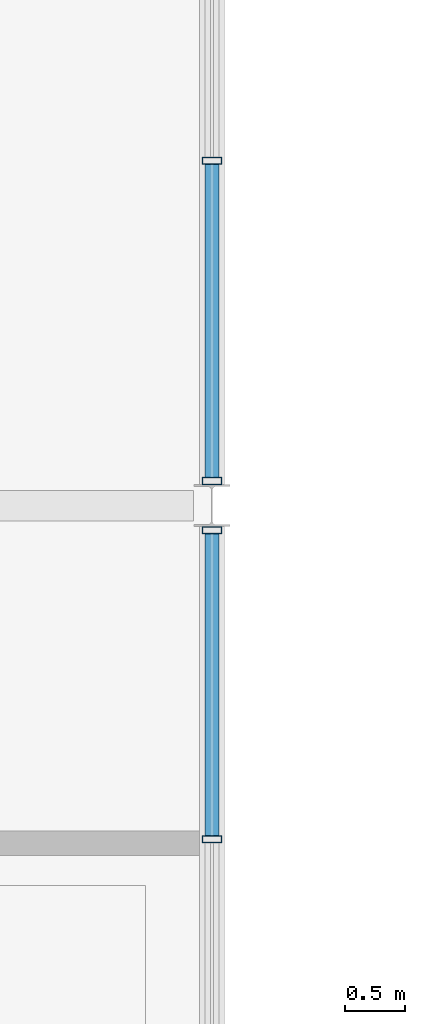
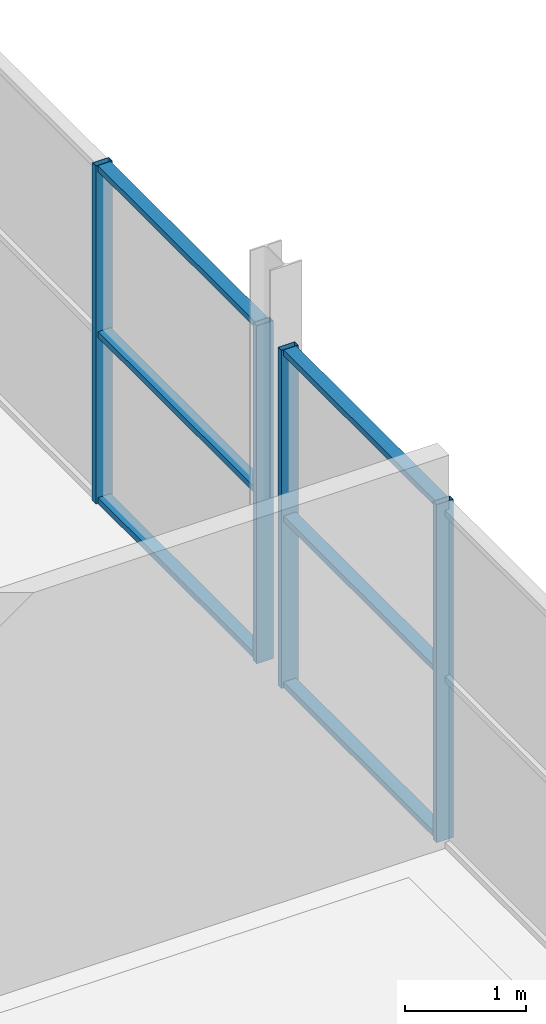
# One storey, part 58 of 93: 10 members, 2 elements without a shape of their own.
"""IFC4 building model written with IfcOpenShell, lengths in metres."""

from ifc_helpers import new_model, si_unit, direction, frame, origin, origin_2d, place, context, subcontext, project, spatial, hollow_rectangle, extrude, material, material_profile, profile_set, type_object, element, aggregate, save


model = new_model("IFC4")

# Units and contexts
model_context = context("Model", 3, precision=1e-05, world=origin(), true_north=direction((0.0, 1.0)))
body_context = subcontext(model_context, "Body", "Model", "MODEL_VIEW")
ifc_project = project(units=[si_unit("LENGTHUNIT", "METRE"), si_unit("AREAUNIT", "SQUARE_METRE"), si_unit("VOLUMEUNIT", "CUBIC_METRE"), si_unit("PLANEANGLEUNIT", "RADIAN"), si_unit("MASSUNIT", "GRAM", prefix="KILO"), si_unit("THERMODYNAMICTEMPERATUREUNIT", "KELVIN")], contexts=[model_context])

# Site, building, storey
site_placement = place(None, origin())
site = spatial("IfcSite", under=ifc_project, at=site_placement, CompositionType="ELEMENT")
building_placement = place(site_placement, origin())
building = spatial("IfcBuilding", under=site, at=building_placement, Name="Nduvali Passage Aquatics Centre", CompositionType="ELEMENT")
storey_placement = place(building_placement, frame((0.0, 0.0, 9.0)))
storey = spatial("IfcBuildingStorey", under=building, at=storey_placement, Name="L02", CompositionType="ELEMENT", Elevation=9.0)

# Curtain wall, members
ifc_material = material(Name="Aluminium EN AW-6063 T6", Category="aluminium")
curtain_wall_type = type_object("IfcCurtainWallType", Name="ENV-CW-PASS", PredefinedType="NOTDEFINED", material=ifc_material)
curtain_wall_1_placement = place(storey_placement, origin())
curtain_wall_1 = element("IfcCurtainWall", 1, at=curtain_wall_1_placement, inside=storey, type_object=curtain_wall_type, Name="L02 East Passage Studio CW 118", PredefinedType="NOTDEFINED")
ifc_material_profile_1 = material_profile(ifc_material, hollow_rectangle(XDim=0.06005859375, YDim=0.159912109375, WallThickness=0.00390625, at=origin_2d()), Name="ALU MULLION 60x160x4")
ifc_profile_set_1 = profile_set([ifc_material_profile_1], Name="Aluminium EN AW-6063 T6")
member_type_1 = type_object("IfcMemberType", Name="ENV-MEM-MUL60", PredefinedType="MULLION", material=ifc_profile_set_1)
member_1_placement = place(storey_placement, frame((126.0, 98.033203125, 0.0), z_axis=(0.0, 0.0, 1.0), x_axis=(0.0, 1.0, 0.0)))
member_1 = element("IfcMember", 2, at=member_1_placement, type_object=member_type_1, Name="East Passage Studio CW Mullion 3", PredefinedType="MULLION", context=body_context, shape_type="SweptSolid", body=[
    extrude(hollow_rectangle(XDim=0.06005859375, YDim=0.159912109375, WallThickness=0.00390625, at=origin_2d()), origin(), (0.0, 0.0, 1.0), 3.406494140625),
])
member_2_placement = place(storey_placement, frame((126.0, 100.594970703125, 0.0), z_axis=(0.0, 0.0, 1.0), x_axis=(0.0, 1.0, 0.0)))
member_2 = element("IfcMember", 3, at=member_2_placement, type_object=member_type_1, Name="East Passage Studio CW Mullion 4", PredefinedType="MULLION", context=body_context, shape_type="SweptSolid", body=[
    extrude(hollow_rectangle(XDim=0.06005859375, YDim=0.159912109375, WallThickness=0.00390625, at=origin_2d()), origin(), (0.0, 0.0, 1.0), 3.406494140625),
])

curtain_wall_2_placement = place(storey_placement, origin())
curtain_wall_2 = element("IfcCurtainWall", 4, at=curtain_wall_2_placement, inside=storey, type_object=curtain_wall_type, Name="L02 East Passage Studio CW 122", PredefinedType="NOTDEFINED")
member_3_placement = place(storey_placement, frame((126.0, 101.0048828125, 0.0), z_axis=(0.0, 0.0, 1.0), x_axis=(0.0, 1.0, 0.0)))
member_3 = element("IfcMember", 5, at=member_3_placement, type_object=member_type_1, Name="East Passage Studio CW Mullion 1", PredefinedType="MULLION", context=body_context, shape_type="SweptSolid", body=[
    extrude(hollow_rectangle(XDim=0.06005859375, YDim=0.159912109375, WallThickness=0.00390625, at=origin_2d()), origin(), (0.0, 0.0, 1.0), 3.406494140625),
])
member_4_placement = place(storey_placement, frame((126.0, 103.659912109375, 0.0), z_axis=(0.0, 0.0, 1.0), x_axis=(0.0, 1.0, 0.0)))
member_4 = element("IfcMember", 6, at=member_4_placement, type_object=member_type_1, Name="East Passage Studio CW Mullion 2", PredefinedType="MULLION", context=body_context, shape_type="SweptSolid", body=[
    extrude(hollow_rectangle(XDim=0.06005859375, YDim=0.159912109375, WallThickness=0.00390625, at=origin_2d()), origin(), (0.0, 0.0, 1.0), 3.406494140625),
])

# Member
ifc_material_profile_2 = material_profile(ifc_material, hollow_rectangle(XDim=0.1201171875, YDim=0.06005859375, WallThickness=0.00390625, at=origin_2d()), Name="ALU TRANSOM 120x60x4")
ifc_profile_set_2 = profile_set([ifc_material_profile_2], Name="Aluminium EN AW-6063 T6")
member_type_2 = type_object("IfcMemberType", Name="ENV-MEM-TRN60", PredefinedType="USERDEFINED", material=ifc_profile_set_2)
member_5_placement = place(storey_placement, frame((126.0, 98.063232421875, 0.030029296875), z_axis=(0.0, 1.0, 0.0), x_axis=(-1.0, 0.0, 0.0)))
member_5 = element("IfcMember", 7, at=member_5_placement, type_object=member_type_2, Name="East Passage Studio CW Transom B3-R0", ObjectType="TRANSOM", PredefinedType="USERDEFINED", context=body_context, shape_type="SweptSolid", body=[
    extrude(hollow_rectangle(XDim=0.1201171875, YDim=0.06005859375, WallThickness=0.00390625, at=origin_2d()), origin(), (0.0, 0.0, 1.0), 2.501708984375),
])

member_6_placement = place(storey_placement, frame((126.0, 98.063232421875, 1.703125), z_axis=(0.0, 1.0, 0.0), x_axis=(-1.0, 0.0, 0.0)))
member_6 = element("IfcMember", 8, at=member_6_placement, type_object=member_type_2, Name="East Passage Studio CW Transom B3-R1", ObjectType="TRANSOM", PredefinedType="USERDEFINED", context=body_context, shape_type="SweptSolid", body=[
    extrude(hollow_rectangle(XDim=0.1201171875, YDim=0.06005859375, WallThickness=0.00390625, at=origin_2d()), origin(), (0.0, 0.0, 1.0), 2.501708984375),
])

member_7_placement = place(storey_placement, frame((126.0, 98.063232421875, 3.37646484375), z_axis=(0.0, 1.0, 0.0), x_axis=(-1.0, 0.0, 0.0)))
member_7 = element("IfcMember", 9, at=member_7_placement, type_object=member_type_2, Name="East Passage Studio CW Transom B3-R2", ObjectType="TRANSOM", PredefinedType="USERDEFINED", context=body_context, shape_type="SweptSolid", body=[
    extrude(hollow_rectangle(XDim=0.1201171875, YDim=0.06005859375, WallThickness=0.00390625, at=origin_2d()), origin(), (0.0, 0.0, 1.0), 2.501708984375),
])

aggregate(curtain_wall_1, [member_1, member_2, member_5, member_6, member_7])

member_8_placement = place(storey_placement, frame((126.0, 101.034912109375, 0.030029296875), z_axis=(0.0, 1.0, 0.0), x_axis=(-1.0, 0.0, 0.0)))
member_8 = element("IfcMember", 10, at=member_8_placement, type_object=member_type_2, Name="East Passage Studio CW Transom B1-R0", ObjectType="TRANSOM", PredefinedType="USERDEFINED", context=body_context, shape_type="SweptSolid", body=[
    extrude(hollow_rectangle(XDim=0.1201171875, YDim=0.06005859375, WallThickness=0.00390625, at=origin_2d()), origin(), (0.0, 0.0, 1.0), 2.594970703125),
])

member_9_placement = place(storey_placement, frame((126.0, 101.034912109375, 1.703125), z_axis=(0.0, 1.0, 0.0), x_axis=(-1.0, 0.0, 0.0)))
member_9 = element("IfcMember", 11, at=member_9_placement, type_object=member_type_2, Name="East Passage Studio CW Transom B1-R1", ObjectType="TRANSOM", PredefinedType="USERDEFINED", context=body_context, shape_type="SweptSolid", body=[
    extrude(hollow_rectangle(XDim=0.1201171875, YDim=0.06005859375, WallThickness=0.00390625, at=origin_2d()), origin(), (0.0, 0.0, 1.0), 2.594970703125),
])

member_10_placement = place(storey_placement, frame((126.0, 101.034912109375, 3.37646484375), z_axis=(0.0, 1.0, 0.0), x_axis=(-1.0, 0.0, 0.0)))
member_10 = element("IfcMember", 12, at=member_10_placement, type_object=member_type_2, Name="East Passage Studio CW Transom B1-R2", ObjectType="TRANSOM", PredefinedType="USERDEFINED", context=body_context, shape_type="SweptSolid", body=[
    extrude(hollow_rectangle(XDim=0.1201171875, YDim=0.06005859375, WallThickness=0.00390625, at=origin_2d()), origin(), (0.0, 0.0, 1.0), 2.594970703125),
])

aggregate(curtain_wall_2, [member_3, member_4, member_8, member_9, member_10])

save(model, "model.ifc")
